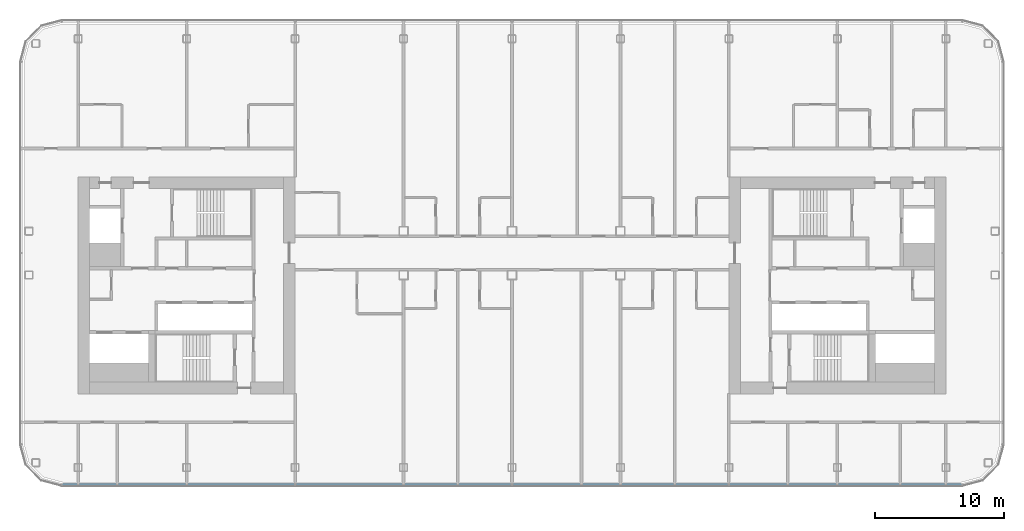
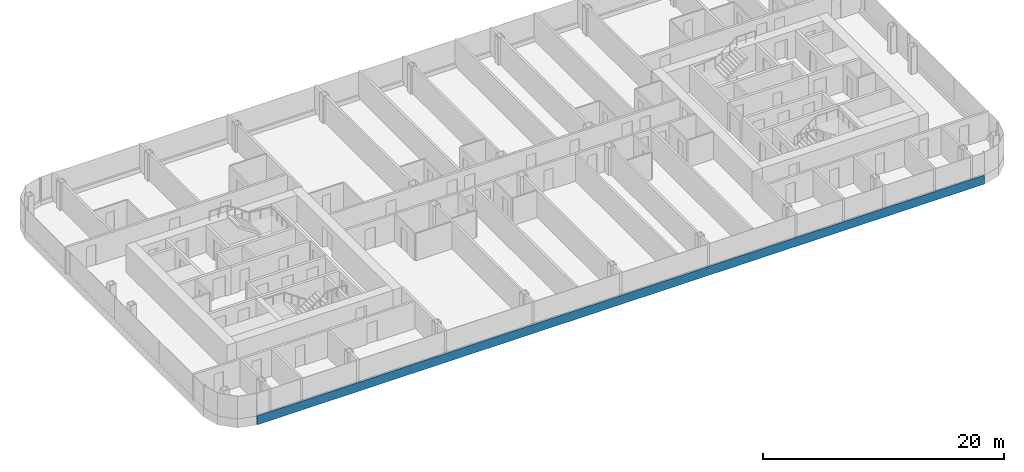
# One storey, part 4 of 26: 1 member, 1 element without a shape of its own.
"""IFC4 building model written with IfcOpenShell, lengths in metres."""

from ifc_helpers import new_model, si_unit, direction, frame, origin, origin_2d, place, context, subcontext, project, spatial, rectangle, extrude, material, layer, layer_set, material_profile, profile_set, type_object, element, aggregate, save


model = new_model("IFC4")

# Units and contexts
model_context = context("Model", 3, precision=1e-05, world=origin(), true_north=direction((0.0, 1.0)))
body_context = subcontext(model_context, "Body", "Model", "MODEL_VIEW")
ifc_project = project(units=[si_unit("LENGTHUNIT", "METRE"), si_unit("AREAUNIT", "SQUARE_METRE"), si_unit("VOLUMEUNIT", "CUBIC_METRE"), si_unit("PLANEANGLEUNIT", "RADIAN"), si_unit("MASSUNIT", "GRAM", prefix="KILO")], contexts=[model_context])

# Site, building, storey
site_placement = place(None, origin())
site = spatial("IfcSite", under=ifc_project, at=site_placement, CompositionType="ELEMENT")
building_placement = place(site_placement, origin())
building = spatial("IfcBuilding", under=site, at=building_placement, Name="Hakoniwa Tower and Hamabe Station Hall", CompositionType="ELEMENT")
storey_placement = place(building_placement, frame((0.0, 0.0, 209.0)))
storey = spatial("IfcBuildingStorey", under=building, at=storey_placement, Name="L59", CompositionType="ELEMENT", Elevation=209.0)

# Curtain wall, member
ifc_material_1 = material(Name="Dark low-e laminated glass", Category="glass")
ifc_layer = layer(ifc_material_1, 0.199951171875)
ifc_layer_set = layer_set([ifc_layer], Name="CW-1 UNITISED GUEST")
curtain_wall_type = type_object("IfcCurtainWallType", Name="CW-1 UNITISED GUEST", PredefinedType="NOTDEFINED", material=ifc_layer_set)
curtain_wall_placement = place(storey_placement, origin())
curtain_wall = element("IfcCurtainWall", 1, at=curtain_wall_placement, inside=storey, type_object=curtain_wall_type, Name="CW-1 curtain wall", PredefinedType="NOTDEFINED")
ifc_material_2 = material(Name="Aluminium 6063-T5 black anodised", Category="aluminium")
ifc_material_profile = material_profile(ifc_material_2, rectangle(XDim=0.199951171875, YDim=0.89990234375, at=origin_2d()), Name="CW SLAB-EDGE BAND 900X200")
ifc_profile_set = profile_set([ifc_material_profile], Name="Aluminium 6063-T5 black anodised")
member_type = type_object("IfcMemberType", Name="CW SLAB-EDGE BAND 900X200", PredefinedType="USERDEFINED", material=ifc_profile_set)
member_placement = place(storey_placement, frame((-34.839599609375, -15.449951171875, -0.10009765625), z_axis=(1.0, 0.0, 0.0), x_axis=(0.0, 1.0, 0.0)))
member = element("IfcMember", 2, at=member_placement, type_object=member_type, Name="CW-1 transom", ObjectType="TRANSOM", PredefinedType="USERDEFINED", context=body_context, shape_type="SweptSolid", body=[
    extrude(rectangle(XDim=0.199951171875, YDim=0.89990234375, at=origin_2d()), origin(), (0.0, 0.0, 1.0), 69.67919921875),
])
aggregate(curtain_wall, [member])

save(model, "model.ifc")
